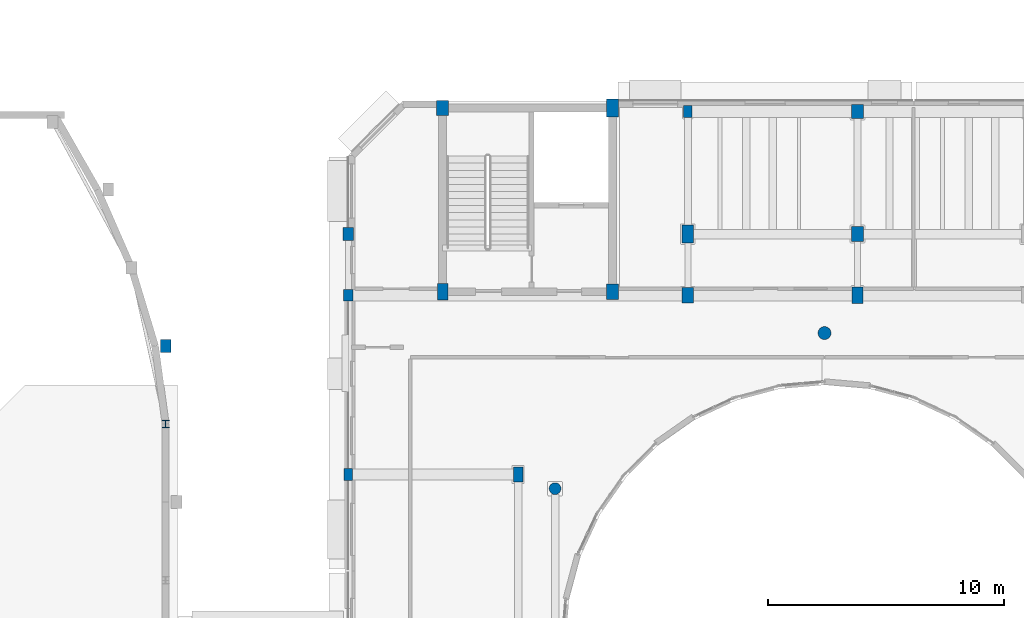
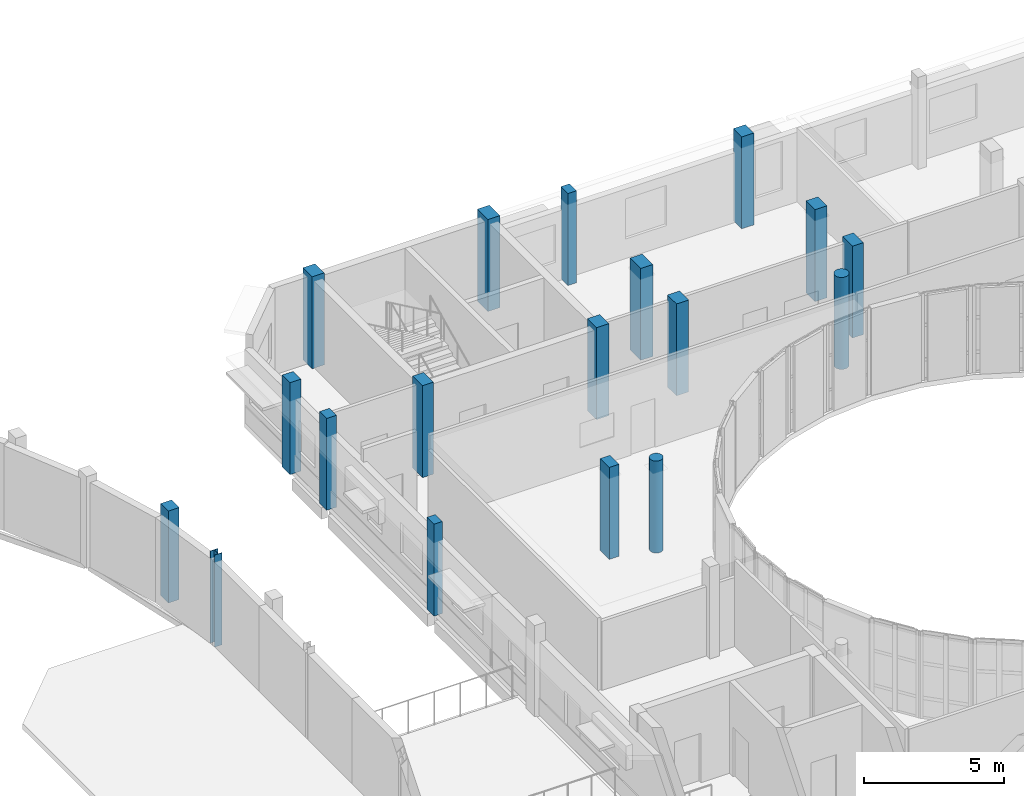
# One storey, part 6 of 89: 18 columns.
"""IFC4 building model written with IfcOpenShell, lengths in metres."""

from ifc_helpers import new_model, si_unit, direction, frame, origin, origin_2d, place, context, subcontext, project, spatial, rectangle, circle, i_section, extrude, material, material_profile, profile_set, type_object, element, save


model = new_model("IFC4")

# Units and contexts
model_context = context("Model", 3, precision=1e-05, world=origin(), true_north=direction((0.0, 1.0)))
body_context = subcontext(model_context, "Body", "Model", "MODEL_VIEW")
ifc_project = project(units=[si_unit("LENGTHUNIT", "METRE"), si_unit("AREAUNIT", "SQUARE_METRE"), si_unit("VOLUMEUNIT", "CUBIC_METRE"), si_unit("PLANEANGLEUNIT", "RADIAN"), si_unit("MASSUNIT", "GRAM", prefix="KILO")], contexts=[model_context])

# Site, building, storey
site_placement = place(None, origin())
site = spatial("IfcSite", under=ifc_project, at=site_placement, CompositionType="ELEMENT")
building_placement = place(site_placement, origin())
building = spatial("IfcBuilding", under=site, at=building_placement, Name="Kelanivale Promenade Academy", CompositionType="ELEMENT")
storey_placement = place(building_placement, frame((0.0, 0.0, 12.199951171875)))
storey = spatial("IfcBuildingStorey", under=building, at=storey_placement, Name="L03", CompositionType="ELEMENT", Elevation=12.199951171875)

# Columns
ifc_material_1 = material(Name="Concrete C40/50", Category="concrete")
ifc_material_profile_1 = material_profile(ifc_material_1, rectangle(XDim=0.39990234375, YDim=0.64990234375, at=origin_2d()), Name="RC-COL 400x650")
ifc_profile_set_1 = profile_set([ifc_material_profile_1], Name="Concrete C40/50")
column_type_1 = type_object("IfcColumnType", Name="C-08 RC-COL 400x650", PredefinedType="COLUMN", material=ifc_profile_set_1)
column_1_placement = place(storey_placement, frame((50.39990234375, 64.0, 0.0), z_axis=(0.0, 0.0, 1.0), x_axis=(1.0, 0.0, 0.0)))
element("IfcColumn", 1, at=column_1_placement, inside=storey, type_object=column_type_1, Name="Column C-08 at (50.4, 64.0) L03", PredefinedType="COLUMN", context=body_context, shape_type="SweptSolid", body=[
    extrude(rectangle(XDim=0.39990234375, YDim=0.64990234375, at=origin_2d()), origin(), (0.0, 0.0, 1.0), 4.0),
])
ifc_material_profile_2 = material_profile(ifc_material_1, rectangle(XDim=0.449951171875, YDim=0.699951171875, at=origin_2d()), Name="RC-COL 450x700")
ifc_profile_set_2 = profile_set([ifc_material_profile_2], Name="Concrete C40/50")
column_type_2 = type_object("IfcColumnType", Name="C-10 RC-COL 450x700", PredefinedType="COLUMN", material=ifc_profile_set_2)
for number, where, z_axis, x_axis, name in (
    (2, (47.199951171875, 71.75, 0.0), (0.0, 0.0, 1.0), (1.0, 0.0, 0.0), "Column C-10 at (47.2, 71.8) L03"),
    (3, (64.800048828125, 71.60009765625, 0.0), (0.0, 0.0, 1.0), (1.0, 0.0, 0.0), "Column C-10 at (64.8, 71.6) L03"),
):
    element("IfcColumn", number, at=place(storey_placement, frame(where, z_axis=z_axis, x_axis=x_axis)), inside=storey, type_object=column_type_2, Name=name, PredefinedType="COLUMN", context=body_context, shape_type="SweptSolid", body=[
        extrude(rectangle(XDim=0.449951171875, YDim=0.699951171875, at=origin_2d()), origin(), (0.0, 0.0, 1.0), 4.0),
    ])
ifc_material_profile_3 = material_profile(ifc_material_1, rectangle(XDim=0.5, YDim=0.64990234375, at=origin_2d()), Name="RC-COL 500x650")
ifc_profile_set_3 = profile_set([ifc_material_profile_3], Name="Concrete C40/50")
column_type_3 = type_object("IfcColumnType", Name="C-11 RC-COL 500x650", PredefinedType="COLUMN", material=ifc_profile_set_3)
for number, where, z_axis, x_axis, name in (
    (4, (47.199951171875, 79.550048828125, 0.0), (0.0, 0.0, 1.0), (1.0, 0.0, 0.0), "Column C-11 at (47.2, 79.5) L03"),
    (5, (54.39990234375, 71.75, 0.0), (0.0, 0.0, 1.0), (1.0, 0.0, 0.0), "Column C-11 at (54.4, 71.8) L03"),
    (6, (57.60009765625, 71.60009765625, 0.0), (0.0, 0.0, 1.0), (1.0, 0.0, 0.0), "Column C-11 at (57.6, 71.6) L03"),
    (7, (64.800048828125, 74.199951171875, 0.0), (0.0, 0.0, 1.0), (1.0, 0.0, 0.0), "Column C-11 at (64.8, 74.2) L03"),
):
    element("IfcColumn", number, at=place(storey_placement, frame(where, z_axis=z_axis, x_axis=x_axis)), inside=storey, type_object=column_type_3, Name=name, PredefinedType="COLUMN", context=body_context, shape_type="SweptSolid", body=[
        extrude(rectangle(XDim=0.5, YDim=0.64990234375, at=origin_2d()), origin(), (0.0, 0.0, 1.0), 4.0),
    ])
ifc_material_profile_4 = material_profile(ifc_material_1, rectangle(XDim=0.5, YDim=0.75, at=origin_2d()), Name="RC-COL 500x750")
ifc_profile_set_4 = profile_set([ifc_material_profile_4], Name="Concrete C40/50")
column_type_4 = type_object("IfcColumnType", Name="C-12 RC-COL 500x750", PredefinedType="COLUMN", material=ifc_profile_set_4)
for number, where, z_axis, x_axis, name in (
    (8, (54.39990234375, 79.550048828125, 0.0), (0.0, 0.0, 1.0), (1.0, 0.0, 0.0), "Column C-12 at (54.4, 79.5) L03"),
    (9, (57.60009765625, 74.199951171875, 0.0), (0.0, 0.0, 1.0), (1.0, 0.0, 0.0), "Column C-12 at (57.6, 74.2) L03"),
):
    element("IfcColumn", number, at=place(storey_placement, frame(where, z_axis=z_axis, x_axis=x_axis)), inside=storey, type_object=column_type_4, Name=name, PredefinedType="COLUMN", context=body_context, shape_type="SweptSolid", body=[
        extrude(rectangle(XDim=0.5, YDim=0.75, at=origin_2d()), origin(), (0.0, 0.0, 1.0), 4.0),
    ])
ifc_material_profile_5 = material_profile(ifc_material_1, circle(Radius=0.25, at=origin_2d()), Name="RC-COL D500")
ifc_profile_set_5 = profile_set([ifc_material_profile_5], Name="Concrete C40/50")
column_type_5 = type_object("IfcColumnType", Name="CC-20 RC-COL D500", PredefinedType="COLUMN", material=ifc_profile_set_5)
column_2_placement = place(storey_placement, frame((51.968017578125, 63.39990234375, 0.0), z_axis=(0.0, 0.0, 1.0), x_axis=(1.0, 0.0, 0.0)))
element("IfcColumn", 10, at=column_2_placement, inside=storey, type_object=column_type_5, Name="Column CC-20 at (52.0, 63.4) L03", PredefinedType="COLUMN", context=body_context, shape_type="SweptSolid", body=[
    extrude(circle(Radius=0.25, at=origin_2d()), origin(), (0.0, 0.0, 1.0), 4.0),
])
ifc_material_profile_6 = material_profile(ifc_material_1, circle(Radius=0.27490234375, at=origin_2d()), Name="RC-COL D550")
ifc_profile_set_6 = profile_set([ifc_material_profile_6], Name="Concrete C40/50")
column_type_6 = type_object("IfcColumnType", Name="CC-21 RC-COL D550", PredefinedType="COLUMN", material=ifc_profile_set_6)
column_3_placement = place(storey_placement, frame((63.39990234375, 70.0, 0.0), z_axis=(0.0, 0.0, 1.0), x_axis=(1.0, 0.0, 0.0)))
element("IfcColumn", 11, at=column_3_placement, inside=storey, type_object=column_type_6, Name="Column CC-21 at (63.4, 70.0) L03", PredefinedType="COLUMN", context=body_context, shape_type="SweptSolid", body=[
    extrude(circle(Radius=0.27490234375, at=origin_2d()), origin(), (0.0, 0.0, 1.0), 4.0),
])
ifc_material_profile_7 = material_profile(ifc_material_1, rectangle(XDim=0.35009765625, YDim=0.5, at=origin_2d()), Name="RC-PIL 350x500")
ifc_profile_set_7 = profile_set([ifc_material_profile_7], Name="Concrete C40/50")
column_type_7 = type_object("IfcColumnType", Name="PL-15 RC-PIL 350x500", PredefinedType="PILASTER", material=ifc_profile_set_7)
for number, where, z_axis, x_axis, name in (
    (12, (43.199951171875, 64.0, 0.0), (0.0, 0.0, 1.0), (1.0, 0.0, 0.0), "Column PL-15 at (43.2, 64.0) L03"),
    (13, (57.60009765625, 79.39990234375, 0.0), (0.0, 0.0, 1.0), (1.0, 0.0, 0.0), "Column PL-15 at (57.6, 79.4) L03"),
):
    element("IfcColumn", number, at=place(storey_placement, frame(where, z_axis=z_axis, x_axis=x_axis)), inside=storey, type_object=column_type_7, Name=name, PredefinedType="PILASTER", context=body_context, shape_type="SweptSolid", body=[
        extrude(rectangle(XDim=0.35009765625, YDim=0.5, at=origin_2d()), origin(), (0.0, 0.0, 1.0), 4.0),
    ])
ifc_material_profile_8 = material_profile(ifc_material_1, rectangle(XDim=0.39990234375, YDim=0.5, at=origin_2d()), Name="RC-PIL 400x500")
ifc_profile_set_8 = profile_set([ifc_material_profile_8], Name="Concrete C40/50")
column_type_8 = type_object("IfcColumnType", Name="PL-16 RC-PIL 400x500", PredefinedType="PILASTER", material=ifc_profile_set_8)
column_4_placement = place(storey_placement, frame((43.199951171875, 71.60009765625, 0.0), z_axis=(0.0, 0.0, 1.0), x_axis=(1.0, 0.0, 0.0)))
element("IfcColumn", 14, at=column_4_placement, inside=storey, type_object=column_type_8, Name="Column PL-16 at (43.2, 71.6) L03", PredefinedType="PILASTER", context=body_context, shape_type="SweptSolid", body=[
    extrude(rectangle(XDim=0.39990234375, YDim=0.5, at=origin_2d()), origin(), (0.0, 0.0, 1.0), 4.0),
])
ifc_material_profile_9 = material_profile(ifc_material_1, rectangle(XDim=0.449951171875, YDim=0.550048828125, at=origin_2d()), Name="RC-PIL 450x550")
ifc_profile_set_9 = profile_set([ifc_material_profile_9], Name="Concrete C40/50")
column_type_9 = type_object("IfcColumnType", Name="PL-17 RC-PIL 450x550", PredefinedType="PILASTER", material=ifc_profile_set_9)
for number, where, z_axis, x_axis, name in (
    (15, (35.4599609375, 69.45703125, 0.0), (0.0, 0.0, 1.0), (1.0, 0.0, 0.0), "Column PL-17 at (35.5, 69.5) L03"),
    (16, (43.199951171875, 74.199951171875, 0.0), (0.0, 0.0, 1.0), (1.0, 0.0, 0.0), "Column PL-17 at (43.2, 74.2) L03"),
):
    element("IfcColumn", number, at=place(storey_placement, frame(where, z_axis=z_axis, x_axis=x_axis)), inside=storey, type_object=column_type_9, Name=name, PredefinedType="PILASTER", context=body_context, shape_type="SweptSolid", body=[
        extrude(rectangle(XDim=0.449951171875, YDim=0.550048828125, at=origin_2d()), origin(), (0.0, 0.0, 1.0), 4.0),
    ])
ifc_material_profile_10 = material_profile(ifc_material_1, rectangle(XDim=0.5, YDim=0.60009765625, at=origin_2d()), Name="RC-PIL 500x600")
ifc_profile_set_10 = profile_set([ifc_material_profile_10], Name="Concrete C40/50")
column_type_10 = type_object("IfcColumnType", Name="PL-18 RC-PIL 500x600", PredefinedType="PILASTER", material=ifc_profile_set_10)
column_5_placement = place(storey_placement, frame((64.800048828125, 79.39990234375, 0.0), z_axis=(0.0, 0.0, 1.0), x_axis=(1.0, 0.0, 0.0)))
element("IfcColumn", 17, at=column_5_placement, inside=storey, type_object=column_type_10, Name="Column PL-18 at (64.8, 79.4) L03", PredefinedType="PILASTER", context=body_context, shape_type="SweptSolid", body=[
    extrude(rectangle(XDim=0.5, YDim=0.60009765625, at=origin_2d()), origin(), (0.0, 0.0, 1.0), 4.0),
])
ifc_material_2 = material(Name="Steel S355", Category="steel")
ifc_material_profile_11 = material_profile(ifc_material_2, i_section(OverallWidth=0.307373046875, OverallDepth=0.314453125, WebThickness=0.011962890625, FlangeThickness=0.018798828125, FilletRadius=0.01513671875, at=origin_2d()), Name="UC 305x305x118")
ifc_profile_set_11 = profile_set([ifc_material_profile_11], Name="Steel S355")
column_type_11 = type_object("IfcColumnType", Name="SC-04 UC 305x305x118", PredefinedType="COLUMN", material=ifc_profile_set_11)
column_6_placement = place(storey_placement, frame((35.449951171875, 66.14306640625, 0.0), z_axis=(0.0, 0.0, 1.0), x_axis=(1.0, 0.0, 0.0)))
element("IfcColumn", 18, at=column_6_placement, inside=storey, type_object=column_type_11, Name="Column SC-04 at (35.5, 66.1) L03", PredefinedType="COLUMN", context=body_context, shape_type="SweptSolid", body=[
    extrude(i_section(OverallWidth=0.307373046875, OverallDepth=0.314453125, WebThickness=0.011962890625, FlangeThickness=0.018798828125, FilletRadius=0.01513671875, at=origin_2d()), origin(), (0.0, 0.0, 1.0), 4.0),
])

save(model, "model.ifc")
